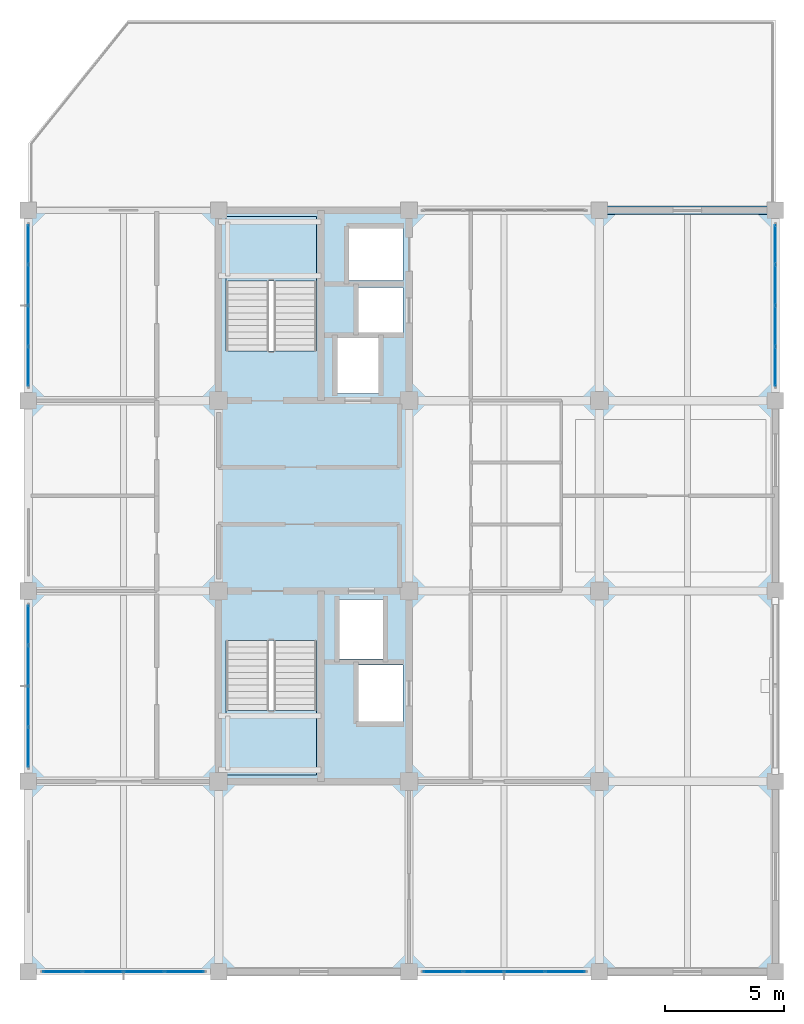
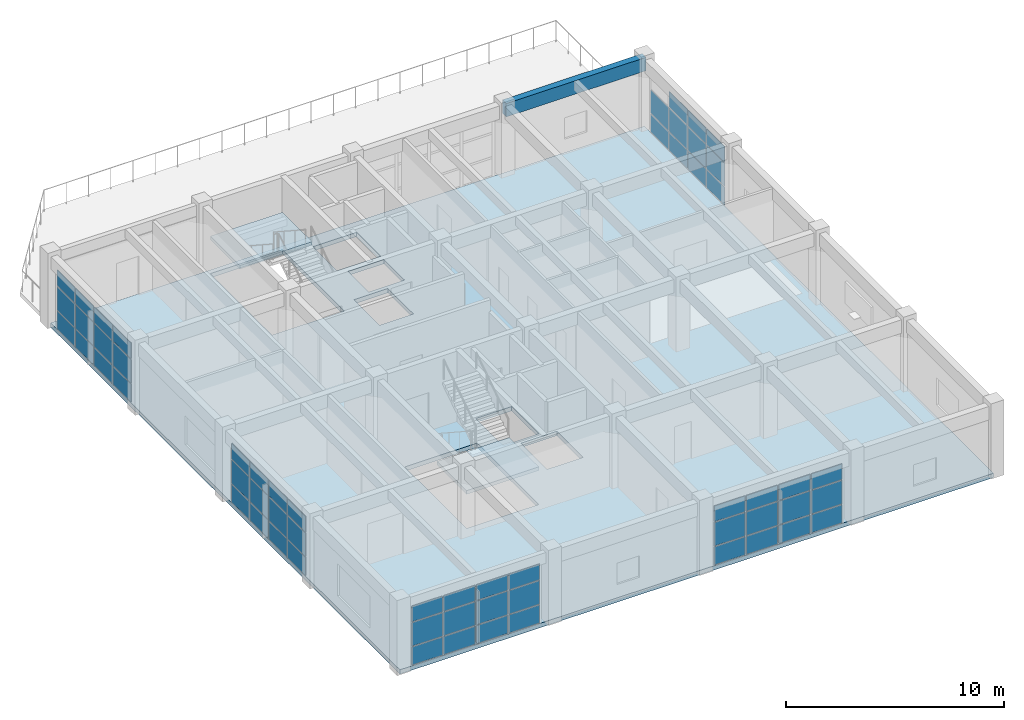
# One storey, part 13 of 19: 59 plates, 3 slabs, 1 beam, 7 elements without a shape of their own.
"""IFC4 building model written with IfcOpenShell, lengths in metres."""

import ifcopenshell
import ifcopenshell.guid

model = None  # the IFC model being written
_history = None  # IfcOwnerHistory: only IFC2X3 demands one
_inside = {}  # id of a spatial element -> (the spatial element, [elements in it])
_under = {}  # id of a project, library or spatial element -> (it, [spatial elements below it])
_declared = {}  # id of a project -> (the project, [libraries it declares])
_typed = {}  # id of a type object -> (the type object, [elements of that type])
_made_of = {}  # id of a material, layer set ... -> (it, [elements and type objects made of it])


def new_model(schema):
    """Start an empty IFC model of exactly this schema.

    Asked for "IFC4X3", IfcOpenShell would pick the latest addendum, in which some entities
    have other attributes; the version numbers below select the first issue.
    IFC2X3 requires an IfcOwnerHistory on every rooted entity: one is made here for all.
    """
    global model, _history
    if schema == "IFC4X3":
        model = ifcopenshell.file(schema_version=(4, 3, 0, 0))
    else:
        model = ifcopenshell.file(schema=schema)
    _inside.clear()
    _under.clear()
    _declared.clear()
    _typed.clear()
    _made_of.clear()
    _history = None
    if model.schema == "IFC2X3":
        org = make("IfcOrganization", Name="unknown")
        user = make(
            "IfcPersonAndOrganization",
            ThePerson=make("IfcPerson", FamilyName="unknown"),
            TheOrganization=org,
        )
        app = make(
            "IfcApplication",
            ApplicationDeveloper=org,
            Version="unknown",
            ApplicationFullName="unknown",
            ApplicationIdentifier="unknown",
        )
        _history = make(
            "IfcOwnerHistory",
            OwningUser=user,
            OwningApplication=app,
            ChangeAction="ADDED",
            CreationDate=0,
        )
    return model


def make(cls, **values):
    """One entity of the class cls with the attributes given. An attribute that is None is left unset."""
    return model.create_entity(
        cls, **{name: value for name, value in values.items() if value is not None}
    )


def rooted(cls, **values):
    """An entity with a GlobalId (a new one), such as an element, a storey or a relation."""
    return make(cls, GlobalId=ifcopenshell.guid.new(), OwnerHistory=_history, **values)


def si_unit(unit_type, name, prefix=None):
    """IfcSIUnit, for example si_unit("LENGTHUNIT", "METRE", prefix="MILLI")."""
    return make("IfcSIUnit", UnitType=unit_type, Prefix=prefix, Name=name)


def assignment(units):
    """IfcUnitAssignment: the units of a project."""
    return None if units is None else make("IfcUnitAssignment", Units=units)


def point(xyz):
    """IfcCartesianPoint."""
    return None if xyz is None else make("IfcCartesianPoint", Coordinates=xyz)


def direction(xyz):
    """IfcDirection."""
    return None if xyz is None else make("IfcDirection", DirectionRatios=xyz)


def frame(location, z_axis=None, x_axis=None):
    """IfcAxis2Placement3D, a coordinate frame: its origin and axes. An axis left out is left unset."""
    return make(
        "IfcAxis2Placement3D",
        Location=point(location),
        Axis=direction(z_axis),
        RefDirection=direction(x_axis),
    )


def frame_2d(location, x_axis=None):
    """IfcAxis2Placement2D, a coordinate frame in the plane: its origin and x axis."""
    return make(
        "IfcAxis2Placement2D", Location=point(location), RefDirection=direction(x_axis)
    )


def origin():
    """The frame at (0, 0, 0) with its axes left unset."""
    return frame((0.0, 0.0, 0.0))


def origin_2d():
    """The frame at (0, 0) in the plane with its x axis left unset."""
    return frame_2d((0.0, 0.0))


def place(relative_to, where):
    """IfcLocalPlacement: puts the frame where relative to a parent placement (None: the world)."""
    return make(
        "IfcLocalPlacement", PlacementRelTo=relative_to, RelativePlacement=where
    )


def context(
    kind, dimensions, precision=None, world=None, true_north=None, identifier=None
):
    """IfcGeometricRepresentationContext, for example the 3D "Model" context."""
    return make(
        "IfcGeometricRepresentationContext",
        ContextIdentifier=identifier,
        ContextType=kind,
        CoordinateSpaceDimension=dimensions,
        Precision=precision,
        WorldCoordinateSystem=world,
        TrueNorth=true_north,
    )


def subcontext(parent, identifier, kind, view, scale=None):
    """IfcGeometricRepresentationSubContext, for example "Body" below "Model"."""
    return make(
        "IfcGeometricRepresentationSubContext",
        ContextIdentifier=identifier,
        ContextType=kind,
        ParentContext=parent,
        TargetScale=scale,
        TargetView=view,
    )


def project(units=None, contexts=None):
    """IfcProject with its units and contexts."""
    return rooted(
        "IfcProject",
        Name="project",
        RepresentationContexts=contexts,
        UnitsInContext=assignment(units),
    )


def spatial(cls, under=None, at=None, **own):
    """A site, building, storey or space (cls), placed at a placement, below another one or the project."""
    s = rooted(cls, ObjectPlacement=at, **own)
    if under is not None:
        _under.setdefault(under.id(), (under, []))[1].append(s)
    return s


def polyline(points):
    """IfcPolyline through the points."""
    return make("IfcPolyline", Points=[point(p) for p in points])


def profile(cls, at=None, kind="AREA", **sizes):
    """A parametric profile (cls). Its sizes go by their IFC names, for example OverallWidth=200.0."""
    return make(cls, ProfileType=kind, Position=at, **sizes)


def rectangle(**sizes):
    """IfcRectangleProfileDef."""
    return profile("IfcRectangleProfileDef", **sizes)


def outline(outer, holes=None, kind="AREA"):
    """IfcArbitraryClosedProfileDef: a profile drawn as a closed curve; with holes, ...WithVoids."""
    if holes is None:
        return make("IfcArbitraryClosedProfileDef", ProfileType=kind, OuterCurve=outer)
    return make(
        "IfcArbitraryProfileDefWithVoids",
        ProfileType=kind,
        OuterCurve=outer,
        InnerCurves=holes,
    )


def extrude(swept, where, along, depth):
    """IfcExtrudedAreaSolid: the profile swept, set in the frame where, extruded along a direction by depth."""
    return make(
        "IfcExtrudedAreaSolid",
        SweptArea=swept,
        Position=where,
        ExtrudedDirection=direction(along),
        Depth=depth,
    )


def shape(context_of_items, identifier, shape_type, items):
    """IfcShapeRepresentation: the items that make up one representation, for example the "Body"."""
    return make(
        "IfcShapeRepresentation",
        ContextOfItems=context_of_items,
        RepresentationIdentifier=identifier,
        RepresentationType=shape_type,
        Items=items,
    )


def material(Name=None, Category=None):
    """IfcMaterial."""
    return make("IfcMaterial", Name=Name, Category=Category)


def layer(
    of_material, thickness, ventilated=None, Name=None, Category=None, Priority=None
):
    """IfcMaterialLayer: one layer of a wall or slab, of a material (None: an air gap)."""
    return make(
        "IfcMaterialLayer",
        Material=of_material,
        LayerThickness=thickness,
        IsVentilated=ventilated,
        Name=Name,
        Category=Category,
        Priority=Priority,
    )


def layer_set(layers, Name=None):
    """IfcMaterialLayerSet."""
    return make("IfcMaterialLayerSet", MaterialLayers=layers, LayerSetName=Name)


def material_profile(
    of_material, cross_section, Name=None, Category=None, Priority=None
):
    """IfcMaterialProfile: a cross section and its material."""
    return make(
        "IfcMaterialProfile",
        Name=Name,
        Material=of_material,
        Profile=cross_section,
        Priority=Priority,
        Category=Category,
    )


def profile_set(profiles, Name=None, composite=None):
    """IfcMaterialProfileSet."""
    return make(
        "IfcMaterialProfileSet",
        Name=Name,
        MaterialProfiles=profiles,
        CompositeProfile=composite,
    )


def made_of(thing, what):
    """Note that an element or type object is made of a material, layer set ...; save() writes the relation."""
    if what is not None:
        _made_of.setdefault(what.id(), (what, []))[1].append(thing)
    return thing


def type_object(cls, material=None, **own):
    """A type object (cls), such as IfcWallType, which elements share."""
    return made_of(rooted(cls, **own), material)


def element(
    cls,
    number,
    at=None,
    inside=None,
    cuts=None,
    type_object=None,
    material=None,
    context=None,
    identifier="Body",
    shape_type=None,
    held_by="IfcProductDefinitionShape",
    body=None,
    shapes=None,
    **own,
):
    """One element of the class cls, such as IfcWall. Its Tag is "e" and its number.

    at: its placement. inside: the storey or other place that contains it. cuts: it is an
    opening in that element (IfcRelVoidsElement). A single representation is given by context,
    identifier, shape_type and body (its items); several are given by shapes. held_by: the class
    of the entity that holds the representations. save() writes the other relations.
    """
    e = rooted(cls, Tag="e%d" % number, ObjectPlacement=at, **own)
    if body is not None:
        shapes = [shape(context, identifier, shape_type, body)]
    if shapes is not None:
        e.Representation = make(held_by, Representations=shapes)
    if inside is not None:
        _inside.setdefault(inside.id(), (inside, []))[1].append(e)
    if cuts is not None:
        rooted(
            "IfcRelVoidsElement", RelatingBuildingElement=cuts, RelatedOpeningElement=e
        )
    if type_object is not None:
        _typed.setdefault(type_object.id(), (type_object, []))[1].append(e)
    return made_of(e, material)


def aggregate(whole, parts):
    """IfcRelAggregates: a whole, such as a stair, and the parts it consists of."""
    return rooted("IfcRelAggregates", RelatingObject=whole, RelatedObjects=parts)


def save(model, path):
    """Write the relations noted so far, then the file.

    IfcRelAggregates (storeys below a building ...), IfcRelContainedInSpatialStructure (elements
    in a storey), IfcRelDefinesByType, IfcRelAssociatesMaterial and IfcRelDeclares: one each for
    every whole, place, type object, material and project.
    """
    for whole, parts in _under.values():
        aggregate(whole, parts)
    for where, things in _inside.values():
        rooted(
            "IfcRelContainedInSpatialStructure",
            RelatedElements=things,
            RelatingStructure=where,
        )
    for kind, things in _typed.values():
        rooted("IfcRelDefinesByType", RelatedObjects=things, RelatingType=kind)
    for what, things in _made_of.values():
        rooted("IfcRelAssociatesMaterial", RelatedObjects=things, RelatingMaterial=what)
    for by, libraries in _declared.values():
        rooted("IfcRelDeclares", RelatingContext=by, RelatedDefinitions=libraries)
    model.write(path)


model = new_model("IFC4")

# Units and contexts
model_context = context("Model", 3, precision=1e-05, world=origin(), true_north=direction((0.0, 1.0)))
body_context = subcontext(model_context, "Body", "Model", "MODEL_VIEW")
ifc_project = project(units=[si_unit("LENGTHUNIT", "METRE"), si_unit("AREAUNIT", "SQUARE_METRE"), si_unit("VOLUMEUNIT", "CUBIC_METRE"), si_unit("PLANEANGLEUNIT", "RADIAN"), si_unit("MASSUNIT", "GRAM", prefix="KILO")], contexts=[model_context])

# Site, building, storey
site_placement = place(None, origin())
site = spatial("IfcSite", under=ifc_project, at=site_placement, CompositionType="ELEMENT")
building_placement = place(site_placement, origin())
building = spatial("IfcBuilding", under=site, at=building_placement, Name="Canggui Botanical Conservatory", CompositionType="ELEMENT")
storey_placement = place(building_placement, frame((0.0, 0.0, 48.60009765625)))
storey = spatial("IfcBuildingStorey", under=building, at=storey_placement, Name="L12", CompositionType="ELEMENT", Elevation=48.60009765625)

# Beam
ifc_material_1 = material(Name="Concrete C35", Category="concrete")
ifc_material_profile = material_profile(ifc_material_1, rectangle(XDim=0.35009765625, YDim=0.75, at=origin_2d()), Name="RB 350x750")
ifc_profile_set = profile_set([ifc_material_profile], Name="Concrete C35")
beam_type = type_object("IfcBeamType", Name="BM-KL16", PredefinedType="BEAM", material=ifc_profile_set)
beam_placement = place(storey_placement, frame((170.0, 66.0, 3.5849609375), z_axis=(1.0, 0.0, 0.0), x_axis=(0.0, 1.0, 0.0)))
element("IfcBeam", 1, at=beam_placement, inside=storey, type_object=beam_type, Name="Frame Girder L12 Y66-4", PredefinedType="BEAM", context=body_context, shape_type="SweptSolid", body=[
    extrude(rectangle(XDim=0.35009765625, YDim=0.75, at=origin_2d()), origin(), (0.0, 0.0, 1.0), 7.39990234375),
])

# Curtain wall, plates
ifc_material_2 = material(Name="Thermally Broken Aluminium", Category="aluminium")
ifc_layer_1 = layer(ifc_material_2, 0.14990234375, Name="Thermally Broken Aluminium", Category="aluminium")
ifc_layer_set_1 = layer_set([ifc_layer_1], Name="Thermally Broken Aluminium")
curtain_wall_type = type_object("IfcCurtainWallType", Name="CW-UNIT-C", PredefinedType="USERDEFINED", material=ifc_layer_set_1)
curtain_wall_1_placement = place(storey_placement, origin())
curtain_wall_1 = element("IfcCurtainWall", 2, at=curtain_wall_1_placement, inside=storey, type_object=curtain_wall_type, Name="Facade Curtain Wall CW-TWR-L12-02", ObjectType="UNITISED CURTAIN WALL", PredefinedType="USERDEFINED")
ifc_material_3 = material(Name="Low-E Insulated Glass", Category="glass")
ifc_layer_2 = layer(ifc_material_3, 0.033935546875, Name="Low-E Insulated Glass", Category="glass")
ifc_layer_set_2 = layer_set([ifc_layer_2], Name="Low-E Insulated Glass")
plate_type = type_object("IfcPlateType", Name="CWP-03", PredefinedType="CURTAIN_PANEL", material=ifc_layer_set_2)
plate_1_placement = place(storey_placement, frame((168.56494140625, 34.0, 0.0546875), z_axis=(0.0, 0.0, 1.0), x_axis=(-1.0, 0.0, 0.0)))
plate_1 = element("IfcPlate", 3, at=plate_1_placement, type_object=plate_type, Name="CW-03 panel 1.1", PredefinedType="CURTAIN_PANEL", context=body_context, shape_type="SweptSolid", body=[
    extrude(rectangle(XDim=1.6298828125, YDim=0.033935546875, at=origin_2d()), origin(), (0.0, 0.0, 1.0), 1.005615234375),
])
plate_2_placement = place(storey_placement, frame((168.56494140625, 34.0, 1.115234375), z_axis=(0.0, 0.0, 1.0), x_axis=(-1.0, 0.0, 0.0)))
plate_2 = element("IfcPlate", 4, at=plate_2_placement, type_object=plate_type, Name="CW-03 panel 1.2", PredefinedType="CURTAIN_PANEL", context=body_context, shape_type="SweptSolid", body=[
    extrude(rectangle(XDim=1.6298828125, YDim=0.033935546875, at=origin_2d()), origin(), (0.0, 0.0, 1.0), 1.304931640625),
])
plate_3_placement = place(storey_placement, frame((168.56494140625, 34.0, 2.4755859375), z_axis=(0.0, 0.0, 1.0), x_axis=(-1.0, 0.0, 0.0)))
plate_3 = element("IfcPlate", 5, at=plate_3_placement, type_object=plate_type, Name="CW-03 panel 1.3", PredefinedType="CURTAIN_PANEL", context=body_context, shape_type="SweptSolid", body=[
    extrude(rectangle(XDim=1.6298828125, YDim=0.033935546875, at=origin_2d()), origin(), (0.0, 0.0, 1.0), 0.869384765625),
])
plate_4_placement = place(storey_placement, frame((166.860107421875, 34.0, 0.0546875), z_axis=(0.0, 0.0, 1.0), x_axis=(-1.0, 0.0, 0.0)))
plate_4 = element("IfcPlate", 6, at=plate_4_placement, type_object=plate_type, Name="CW-03 panel 2.1", PredefinedType="CURTAIN_PANEL", context=body_context, shape_type="SweptSolid", body=[
    extrude(rectangle(XDim=1.659912109375, YDim=0.033935546875, at=origin_2d()), origin(), (0.0, 0.0, 1.0), 1.005615234375),
])
plate_5_placement = place(storey_placement, frame((166.860107421875, 34.0, 1.115234375), z_axis=(0.0, 0.0, 1.0), x_axis=(-1.0, 0.0, 0.0)))
plate_5 = element("IfcPlate", 7, at=plate_5_placement, type_object=plate_type, Name="CW-03 panel 2.2", PredefinedType="CURTAIN_PANEL", context=body_context, shape_type="SweptSolid", body=[
    extrude(rectangle(XDim=1.659912109375, YDim=0.033935546875, at=origin_2d()), origin(), (0.0, 0.0, 1.0), 1.304931640625),
])
plate_6_placement = place(storey_placement, frame((166.860107421875, 34.0, 2.4755859375), z_axis=(0.0, 0.0, 1.0), x_axis=(-1.0, 0.0, 0.0)))
plate_6 = element("IfcPlate", 8, at=plate_6_placement, type_object=plate_type, Name="CW-03 panel 2.3", PredefinedType="CURTAIN_PANEL", context=body_context, shape_type="SweptSolid", body=[
    extrude(rectangle(XDim=1.659912109375, YDim=0.033935546875, at=origin_2d()), origin(), (0.0, 0.0, 1.0), 0.869384765625),
])
plate_7_placement = place(storey_placement, frame((165.139892578125, 34.0, 0.0546875), z_axis=(0.0, 0.0, 1.0), x_axis=(-1.0, 0.0, 0.0)))
plate_7 = element("IfcPlate", 9, at=plate_7_placement, type_object=plate_type, Name="CW-03 panel 3.1", PredefinedType="CURTAIN_PANEL", context=body_context, shape_type="SweptSolid", body=[
    extrude(rectangle(XDim=1.659912109375, YDim=0.033935546875, at=origin_2d()), origin(), (0.0, 0.0, 1.0), 1.005615234375),
])
plate_8_placement = place(storey_placement, frame((165.139892578125, 34.0, 1.115234375), z_axis=(0.0, 0.0, 1.0), x_axis=(-1.0, 0.0, 0.0)))
plate_8 = element("IfcPlate", 10, at=plate_8_placement, type_object=plate_type, Name="CW-03 panel 3.2", PredefinedType="CURTAIN_PANEL", context=body_context, shape_type="SweptSolid", body=[
    extrude(rectangle(XDim=1.659912109375, YDim=0.033935546875, at=origin_2d()), origin(), (0.0, 0.0, 1.0), 1.304931640625),
])
plate_9_placement = place(storey_placement, frame((165.139892578125, 34.0, 2.4755859375), z_axis=(0.0, 0.0, 1.0), x_axis=(-1.0, 0.0, 0.0)))
plate_9 = element("IfcPlate", 11, at=plate_9_placement, type_object=plate_type, Name="CW-03 panel 3.3", PredefinedType="CURTAIN_PANEL", context=body_context, shape_type="SweptSolid", body=[
    extrude(rectangle(XDim=1.659912109375, YDim=0.033935546875, at=origin_2d()), origin(), (0.0, 0.0, 1.0), 0.869384765625),
])
plate_10_placement = place(storey_placement, frame((163.43505859375, 34.0, 0.0546875), z_axis=(0.0, 0.0, 1.0), x_axis=(-1.0, 0.0, 0.0)))
plate_10 = element("IfcPlate", 12, at=plate_10_placement, type_object=plate_type, Name="CW-03 panel 4.1", PredefinedType="CURTAIN_PANEL", context=body_context, shape_type="SweptSolid", body=[
    extrude(rectangle(XDim=1.6298828125, YDim=0.033935546875, at=origin_2d()), origin(), (0.0, 0.0, 1.0), 1.005615234375),
])
plate_11_placement = place(storey_placement, frame((163.43505859375, 34.0, 1.115234375), z_axis=(0.0, 0.0, 1.0), x_axis=(-1.0, 0.0, 0.0)))
plate_11 = element("IfcPlate", 13, at=plate_11_placement, type_object=plate_type, Name="CW-03 panel 4.2", PredefinedType="CURTAIN_PANEL", context=body_context, shape_type="SweptSolid", body=[
    extrude(rectangle(XDim=1.6298828125, YDim=0.033935546875, at=origin_2d()), origin(), (0.0, 0.0, 1.0), 1.304931640625),
])
plate_12_placement = place(storey_placement, frame((163.43505859375, 34.0, 2.4755859375), z_axis=(0.0, 0.0, 1.0), x_axis=(-1.0, 0.0, 0.0)))
plate_12 = element("IfcPlate", 14, at=plate_12_placement, type_object=plate_type, Name="CW-03 panel 4.3", PredefinedType="CURTAIN_PANEL", context=body_context, shape_type="SweptSolid", body=[
    extrude(rectangle(XDim=1.6298828125, YDim=0.033935546875, at=origin_2d()), origin(), (0.0, 0.0, 1.0), 0.869384765625),
])
aggregate(curtain_wall_1, [plate_1, plate_2, plate_3, plate_4, plate_5, plate_6, plate_7, plate_8, plate_9, plate_10, plate_11, plate_12])

curtain_wall_2_placement = place(storey_placement, origin())
curtain_wall_2 = element("IfcCurtainWall", 15, at=curtain_wall_2_placement, inside=storey, type_object=curtain_wall_type, Name="Facade Curtain Wall CW-TWR-L12-04", ObjectType="UNITISED CURTAIN WALL", PredefinedType="USERDEFINED")
plate_13_placement = place(storey_placement, frame((152.56494140625, 34.0, 0.0546875), z_axis=(0.0, 0.0, 1.0), x_axis=(-1.0, 0.0, 0.0)))
plate_13 = element("IfcPlate", 16, at=plate_13_placement, type_object=plate_type, Name="CW-03 panel 1.1", PredefinedType="CURTAIN_PANEL", context=body_context, shape_type="SweptSolid", body=[
    extrude(rectangle(XDim=1.6298828125, YDim=0.033935546875, at=origin_2d()), origin(), (0.0, 0.0, 1.0), 1.005615234375),
])
plate_14_placement = place(storey_placement, frame((152.56494140625, 34.0, 1.115234375), z_axis=(0.0, 0.0, 1.0), x_axis=(-1.0, 0.0, 0.0)))
plate_14 = element("IfcPlate", 17, at=plate_14_placement, type_object=plate_type, Name="CW-03 panel 1.2", PredefinedType="CURTAIN_PANEL", context=body_context, shape_type="SweptSolid", body=[
    extrude(rectangle(XDim=1.6298828125, YDim=0.033935546875, at=origin_2d()), origin(), (0.0, 0.0, 1.0), 1.304931640625),
])
plate_15_placement = place(storey_placement, frame((152.56494140625, 34.0, 2.4755859375), z_axis=(0.0, 0.0, 1.0), x_axis=(-1.0, 0.0, 0.0)))
plate_15 = element("IfcPlate", 18, at=plate_15_placement, type_object=plate_type, Name="CW-03 panel 1.3", PredefinedType="CURTAIN_PANEL", context=body_context, shape_type="SweptSolid", body=[
    extrude(rectangle(XDim=1.6298828125, YDim=0.033935546875, at=origin_2d()), origin(), (0.0, 0.0, 1.0), 0.869384765625),
])
plate_16_placement = place(storey_placement, frame((150.860107421875, 34.0, 0.0546875), z_axis=(0.0, 0.0, 1.0), x_axis=(-1.0, 0.0, 0.0)))
plate_16 = element("IfcPlate", 19, at=plate_16_placement, type_object=plate_type, Name="CW-03 panel 2.1", PredefinedType="CURTAIN_PANEL", context=body_context, shape_type="SweptSolid", body=[
    extrude(rectangle(XDim=1.659912109375, YDim=0.033935546875, at=origin_2d()), origin(), (0.0, 0.0, 1.0), 1.005615234375),
])
plate_17_placement = place(storey_placement, frame((150.860107421875, 34.0, 1.115234375), z_axis=(0.0, 0.0, 1.0), x_axis=(-1.0, 0.0, 0.0)))
plate_17 = element("IfcPlate", 20, at=plate_17_placement, type_object=plate_type, Name="CW-03 panel 2.2", PredefinedType="CURTAIN_PANEL", context=body_context, shape_type="SweptSolid", body=[
    extrude(rectangle(XDim=1.659912109375, YDim=0.033935546875, at=origin_2d()), origin(), (0.0, 0.0, 1.0), 1.304931640625),
])
plate_18_placement = place(storey_placement, frame((150.860107421875, 34.0, 2.4755859375), z_axis=(0.0, 0.0, 1.0), x_axis=(-1.0, 0.0, 0.0)))
plate_18 = element("IfcPlate", 21, at=plate_18_placement, type_object=plate_type, Name="CW-03 panel 2.3", PredefinedType="CURTAIN_PANEL", context=body_context, shape_type="SweptSolid", body=[
    extrude(rectangle(XDim=1.659912109375, YDim=0.033935546875, at=origin_2d()), origin(), (0.0, 0.0, 1.0), 0.869384765625),
])
plate_19_placement = place(storey_placement, frame((149.139892578125, 34.0, 0.0546875), z_axis=(0.0, 0.0, 1.0), x_axis=(-1.0, 0.0, 0.0)))
plate_19 = element("IfcPlate", 22, at=plate_19_placement, type_object=plate_type, Name="CW-03 panel 3.1", PredefinedType="CURTAIN_PANEL", context=body_context, shape_type="SweptSolid", body=[
    extrude(rectangle(XDim=1.659912109375, YDim=0.033935546875, at=origin_2d()), origin(), (0.0, 0.0, 1.0), 1.005615234375),
])
plate_20_placement = place(storey_placement, frame((149.139892578125, 34.0, 1.115234375), z_axis=(0.0, 0.0, 1.0), x_axis=(-1.0, 0.0, 0.0)))
plate_20 = element("IfcPlate", 23, at=plate_20_placement, type_object=plate_type, Name="CW-03 panel 3.2", PredefinedType="CURTAIN_PANEL", context=body_context, shape_type="SweptSolid", body=[
    extrude(rectangle(XDim=1.659912109375, YDim=0.033935546875, at=origin_2d()), origin(), (0.0, 0.0, 1.0), 1.304931640625),
])
plate_21_placement = place(storey_placement, frame((149.139892578125, 34.0, 2.4755859375), z_axis=(0.0, 0.0, 1.0), x_axis=(-1.0, 0.0, 0.0)))
plate_21 = element("IfcPlate", 24, at=plate_21_placement, type_object=plate_type, Name="CW-03 panel 3.3", PredefinedType="CURTAIN_PANEL", context=body_context, shape_type="SweptSolid", body=[
    extrude(rectangle(XDim=1.659912109375, YDim=0.033935546875, at=origin_2d()), origin(), (0.0, 0.0, 1.0), 0.869384765625),
])
plate_22_placement = place(storey_placement, frame((147.43505859375, 34.0, 0.0546875), z_axis=(0.0, 0.0, 1.0), x_axis=(-1.0, 0.0, 0.0)))
plate_22 = element("IfcPlate", 25, at=plate_22_placement, type_object=plate_type, Name="CW-03 panel 4.1", PredefinedType="CURTAIN_PANEL", context=body_context, shape_type="SweptSolid", body=[
    extrude(rectangle(XDim=1.6298828125, YDim=0.033935546875, at=origin_2d()), origin(), (0.0, 0.0, 1.0), 1.005615234375),
])
plate_23_placement = place(storey_placement, frame((147.43505859375, 34.0, 1.115234375), z_axis=(0.0, 0.0, 1.0), x_axis=(-1.0, 0.0, 0.0)))
plate_23 = element("IfcPlate", 26, at=plate_23_placement, type_object=plate_type, Name="CW-03 panel 4.2", PredefinedType="CURTAIN_PANEL", context=body_context, shape_type="SweptSolid", body=[
    extrude(rectangle(XDim=1.6298828125, YDim=0.033935546875, at=origin_2d()), origin(), (0.0, 0.0, 1.0), 1.304931640625),
])
plate_24_placement = place(storey_placement, frame((147.43505859375, 34.0, 2.4755859375), z_axis=(0.0, 0.0, 1.0), x_axis=(-1.0, 0.0, 0.0)))
plate_24 = element("IfcPlate", 27, at=plate_24_placement, type_object=plate_type, Name="CW-03 panel 4.3", PredefinedType="CURTAIN_PANEL", context=body_context, shape_type="SweptSolid", body=[
    extrude(rectangle(XDim=1.6298828125, YDim=0.033935546875, at=origin_2d()), origin(), (0.0, 0.0, 1.0), 0.869384765625),
])
aggregate(curtain_wall_2, [plate_13, plate_14, plate_15, plate_16, plate_17, plate_18, plate_19, plate_20, plate_21, plate_22, plate_23, plate_24])

curtain_wall_3_placement = place(storey_placement, origin())
curtain_wall_3 = element("IfcCurtainWall", 28, at=curtain_wall_3_placement, inside=storey, type_object=curtain_wall_type, Name="Facade Curtain Wall CW-TWR-L12-06", ObjectType="UNITISED CURTAIN WALL", PredefinedType="USERDEFINED")
plate_25_placement = place(storey_placement, frame((146.0, 43.43505859375, 0.0546875), z_axis=(0.0, 0.0, 1.0), x_axis=(0.0, 1.0, 0.0)))
plate_25 = element("IfcPlate", 29, at=plate_25_placement, type_object=plate_type, Name="CW-03 panel 1.1", PredefinedType="CURTAIN_PANEL", context=body_context, shape_type="SweptSolid", body=[
    extrude(rectangle(XDim=1.6298828125, YDim=0.033935546875, at=origin_2d()), origin(), (0.0, 0.0, 1.0), 1.005615234375),
])
plate_26_placement = place(storey_placement, frame((146.0, 43.43505859375, 1.115234375), z_axis=(0.0, 0.0, 1.0), x_axis=(0.0, 1.0, 0.0)))
plate_26 = element("IfcPlate", 30, at=plate_26_placement, type_object=plate_type, Name="CW-03 panel 1.2", PredefinedType="CURTAIN_PANEL", context=body_context, shape_type="SweptSolid", body=[
    extrude(rectangle(XDim=1.6298828125, YDim=0.033935546875, at=origin_2d()), origin(), (0.0, 0.0, 1.0), 1.304931640625),
])
plate_27_placement = place(storey_placement, frame((146.0, 43.43505859375, 2.4755859375), z_axis=(0.0, 0.0, 1.0), x_axis=(0.0, 1.0, 0.0)))
plate_27 = element("IfcPlate", 31, at=plate_27_placement, type_object=plate_type, Name="CW-03 panel 1.3", PredefinedType="CURTAIN_PANEL", context=body_context, shape_type="SweptSolid", body=[
    extrude(rectangle(XDim=1.6298828125, YDim=0.033935546875, at=origin_2d()), origin(), (0.0, 0.0, 1.0), 0.869384765625),
])
plate_28_placement = place(storey_placement, frame((146.0, 45.139892578125, 0.0546875), z_axis=(0.0, 0.0, 1.0), x_axis=(0.0, 1.0, 0.0)))
plate_28 = element("IfcPlate", 32, at=plate_28_placement, type_object=plate_type, Name="CW-03 panel 2.1", PredefinedType="CURTAIN_PANEL", context=body_context, shape_type="SweptSolid", body=[
    extrude(rectangle(XDim=1.659912109375, YDim=0.033935546875, at=origin_2d()), origin(), (0.0, 0.0, 1.0), 1.005615234375),
])
plate_29_placement = place(storey_placement, frame((146.0, 45.139892578125, 1.115234375), z_axis=(0.0, 0.0, 1.0), x_axis=(0.0, 1.0, 0.0)))
plate_29 = element("IfcPlate", 33, at=plate_29_placement, type_object=plate_type, Name="CW-03 panel 2.2", PredefinedType="CURTAIN_PANEL", context=body_context, shape_type="SweptSolid", body=[
    extrude(rectangle(XDim=1.659912109375, YDim=0.033935546875, at=origin_2d()), origin(), (0.0, 0.0, 1.0), 1.304931640625),
])
plate_30_placement = place(storey_placement, frame((146.0, 45.139892578125, 2.4755859375), z_axis=(0.0, 0.0, 1.0), x_axis=(0.0, 1.0, 0.0)))
plate_30 = element("IfcPlate", 34, at=plate_30_placement, type_object=plate_type, Name="CW-03 panel 2.3", PredefinedType="CURTAIN_PANEL", context=body_context, shape_type="SweptSolid", body=[
    extrude(rectangle(XDim=1.659912109375, YDim=0.033935546875, at=origin_2d()), origin(), (0.0, 0.0, 1.0), 0.869384765625),
])
plate_31_placement = place(storey_placement, frame((146.0, 46.860107421875, 0.0546875), z_axis=(0.0, 0.0, 1.0), x_axis=(0.0, 1.0, 0.0)))
plate_31 = element("IfcPlate", 35, at=plate_31_placement, type_object=plate_type, Name="CW-03 panel 3.1", PredefinedType="CURTAIN_PANEL", context=body_context, shape_type="SweptSolid", body=[
    extrude(rectangle(XDim=1.659912109375, YDim=0.033935546875, at=origin_2d()), origin(), (0.0, 0.0, 1.0), 1.005615234375),
])
plate_32_placement = place(storey_placement, frame((146.0, 46.860107421875, 1.115234375), z_axis=(0.0, 0.0, 1.0), x_axis=(0.0, 1.0, 0.0)))
plate_32 = element("IfcPlate", 36, at=plate_32_placement, type_object=plate_type, Name="CW-03 panel 3.2", PredefinedType="CURTAIN_PANEL", context=body_context, shape_type="SweptSolid", body=[
    extrude(rectangle(XDim=1.659912109375, YDim=0.033935546875, at=origin_2d()), origin(), (0.0, 0.0, 1.0), 1.304931640625),
])
plate_33_placement = place(storey_placement, frame((146.0, 46.860107421875, 2.4755859375), z_axis=(0.0, 0.0, 1.0), x_axis=(0.0, 1.0, 0.0)))
plate_33 = element("IfcPlate", 37, at=plate_33_placement, type_object=plate_type, Name="CW-03 panel 3.3", PredefinedType="CURTAIN_PANEL", context=body_context, shape_type="SweptSolid", body=[
    extrude(rectangle(XDim=1.659912109375, YDim=0.033935546875, at=origin_2d()), origin(), (0.0, 0.0, 1.0), 0.869384765625),
])
plate_34_placement = place(storey_placement, frame((146.0, 48.56494140625, 0.0546875), z_axis=(0.0, 0.0, 1.0), x_axis=(0.0, 1.0, 0.0)))
plate_34 = element("IfcPlate", 38, at=plate_34_placement, type_object=plate_type, Name="CW-03 panel 4.1", PredefinedType="CURTAIN_PANEL", context=body_context, shape_type="SweptSolid", body=[
    extrude(rectangle(XDim=1.6298828125, YDim=0.033935546875, at=origin_2d()), origin(), (0.0, 0.0, 1.0), 1.005615234375),
])
plate_35_placement = place(storey_placement, frame((146.0, 48.56494140625, 1.115234375), z_axis=(0.0, 0.0, 1.0), x_axis=(0.0, 1.0, 0.0)))
plate_35 = element("IfcPlate", 39, at=plate_35_placement, type_object=plate_type, Name="CW-03 panel 4.2", PredefinedType="CURTAIN_PANEL", context=body_context, shape_type="SweptSolid", body=[
    extrude(rectangle(XDim=1.6298828125, YDim=0.033935546875, at=origin_2d()), origin(), (0.0, 0.0, 1.0), 1.304931640625),
])
plate_36_placement = place(storey_placement, frame((146.0, 48.56494140625, 2.4755859375), z_axis=(0.0, 0.0, 1.0), x_axis=(0.0, 1.0, 0.0)))
plate_36 = element("IfcPlate", 40, at=plate_36_placement, type_object=plate_type, Name="CW-03 panel 4.3", PredefinedType="CURTAIN_PANEL", context=body_context, shape_type="SweptSolid", body=[
    extrude(rectangle(XDim=1.6298828125, YDim=0.033935546875, at=origin_2d()), origin(), (0.0, 0.0, 1.0), 0.869384765625),
])
aggregate(curtain_wall_3, [plate_25, plate_26, plate_27, plate_28, plate_29, plate_30, plate_31, plate_32, plate_33, plate_34, plate_35, plate_36])

curtain_wall_4_placement = place(storey_placement, origin())
curtain_wall_4 = element("IfcCurtainWall", 41, at=curtain_wall_4_placement, inside=storey, type_object=curtain_wall_type, Name="Facade Curtain Wall CW-TWR-L12-08", ObjectType="UNITISED CURTAIN WALL", PredefinedType="USERDEFINED")
plate_37_placement = place(storey_placement, frame((146.0, 59.43505859375, 0.0546875), z_axis=(0.0, 0.0, 1.0), x_axis=(0.0, 1.0, 0.0)))
plate_37 = element("IfcPlate", 42, at=plate_37_placement, type_object=plate_type, Name="CW-03 panel 1.1", PredefinedType="CURTAIN_PANEL", context=body_context, shape_type="SweptSolid", body=[
    extrude(rectangle(XDim=1.6298828125, YDim=0.033935546875, at=origin_2d()), origin(), (0.0, 0.0, 1.0), 1.005615234375),
])
plate_38_placement = place(storey_placement, frame((146.0, 59.43505859375, 1.115234375), z_axis=(0.0, 0.0, 1.0), x_axis=(0.0, 1.0, 0.0)))
plate_38 = element("IfcPlate", 43, at=plate_38_placement, type_object=plate_type, Name="CW-03 panel 1.2", PredefinedType="CURTAIN_PANEL", context=body_context, shape_type="SweptSolid", body=[
    extrude(rectangle(XDim=1.6298828125, YDim=0.033935546875, at=origin_2d()), origin(), (0.0, 0.0, 1.0), 1.304931640625),
])
plate_39_placement = place(storey_placement, frame((146.0, 59.43505859375, 2.4755859375), z_axis=(0.0, 0.0, 1.0), x_axis=(0.0, 1.0, 0.0)))
plate_39 = element("IfcPlate", 44, at=plate_39_placement, type_object=plate_type, Name="CW-03 panel 1.3", PredefinedType="CURTAIN_PANEL", context=body_context, shape_type="SweptSolid", body=[
    extrude(rectangle(XDim=1.6298828125, YDim=0.033935546875, at=origin_2d()), origin(), (0.0, 0.0, 1.0), 0.869384765625),
])
plate_40_placement = place(storey_placement, frame((146.0, 61.139892578125, 0.0546875), z_axis=(0.0, 0.0, 1.0), x_axis=(0.0, 1.0, 0.0)))
plate_40 = element("IfcPlate", 45, at=plate_40_placement, type_object=plate_type, Name="CW-03 panel 2.1", PredefinedType="CURTAIN_PANEL", context=body_context, shape_type="SweptSolid", body=[
    extrude(rectangle(XDim=1.659912109375, YDim=0.033935546875, at=origin_2d()), origin(), (0.0, 0.0, 1.0), 1.005615234375),
])
plate_41_placement = place(storey_placement, frame((146.0, 61.139892578125, 1.115234375), z_axis=(0.0, 0.0, 1.0), x_axis=(0.0, 1.0, 0.0)))
plate_41 = element("IfcPlate", 46, at=plate_41_placement, type_object=plate_type, Name="CW-03 panel 2.2", PredefinedType="CURTAIN_PANEL", context=body_context, shape_type="SweptSolid", body=[
    extrude(rectangle(XDim=1.659912109375, YDim=0.033935546875, at=origin_2d()), origin(), (0.0, 0.0, 1.0), 1.304931640625),
])
plate_42_placement = place(storey_placement, frame((146.0, 61.139892578125, 2.4755859375), z_axis=(0.0, 0.0, 1.0), x_axis=(0.0, 1.0, 0.0)))
plate_42 = element("IfcPlate", 47, at=plate_42_placement, type_object=plate_type, Name="CW-03 panel 2.3", PredefinedType="CURTAIN_PANEL", context=body_context, shape_type="SweptSolid", body=[
    extrude(rectangle(XDim=1.659912109375, YDim=0.033935546875, at=origin_2d()), origin(), (0.0, 0.0, 1.0), 0.869384765625),
])
plate_43_placement = place(storey_placement, frame((146.0, 62.860107421875, 0.0546875), z_axis=(0.0, 0.0, 1.0), x_axis=(0.0, 1.0, 0.0)))
plate_43 = element("IfcPlate", 48, at=plate_43_placement, type_object=plate_type, Name="CW-03 panel 3.1", PredefinedType="CURTAIN_PANEL", context=body_context, shape_type="SweptSolid", body=[
    extrude(rectangle(XDim=1.659912109375, YDim=0.033935546875, at=origin_2d()), origin(), (0.0, 0.0, 1.0), 1.005615234375),
])
plate_44_placement = place(storey_placement, frame((146.0, 62.860107421875, 1.115234375), z_axis=(0.0, 0.0, 1.0), x_axis=(0.0, 1.0, 0.0)))
plate_44 = element("IfcPlate", 49, at=plate_44_placement, type_object=plate_type, Name="CW-03 panel 3.2", PredefinedType="CURTAIN_PANEL", context=body_context, shape_type="SweptSolid", body=[
    extrude(rectangle(XDim=1.659912109375, YDim=0.033935546875, at=origin_2d()), origin(), (0.0, 0.0, 1.0), 1.304931640625),
])
plate_45_placement = place(storey_placement, frame((146.0, 62.860107421875, 2.4755859375), z_axis=(0.0, 0.0, 1.0), x_axis=(0.0, 1.0, 0.0)))
plate_45 = element("IfcPlate", 50, at=plate_45_placement, type_object=plate_type, Name="CW-03 panel 3.3", PredefinedType="CURTAIN_PANEL", context=body_context, shape_type="SweptSolid", body=[
    extrude(rectangle(XDim=1.659912109375, YDim=0.033935546875, at=origin_2d()), origin(), (0.0, 0.0, 1.0), 0.869384765625),
])
plate_46_placement = place(storey_placement, frame((146.0, 64.56494140625, 0.0546875), z_axis=(0.0, 0.0, 1.0), x_axis=(0.0, 1.0, 0.0)))
plate_46 = element("IfcPlate", 51, at=plate_46_placement, type_object=plate_type, Name="CW-03 panel 4.1", PredefinedType="CURTAIN_PANEL", context=body_context, shape_type="SweptSolid", body=[
    extrude(rectangle(XDim=1.6298828125, YDim=0.033935546875, at=origin_2d()), origin(), (0.0, 0.0, 1.0), 1.005615234375),
])
plate_47_placement = place(storey_placement, frame((146.0, 64.56494140625, 1.115234375), z_axis=(0.0, 0.0, 1.0), x_axis=(0.0, 1.0, 0.0)))
plate_47 = element("IfcPlate", 52, at=plate_47_placement, type_object=plate_type, Name="CW-03 panel 4.2", PredefinedType="CURTAIN_PANEL", context=body_context, shape_type="SweptSolid", body=[
    extrude(rectangle(XDim=1.6298828125, YDim=0.033935546875, at=origin_2d()), origin(), (0.0, 0.0, 1.0), 1.304931640625),
])
plate_48_placement = place(storey_placement, frame((146.0, 64.56494140625, 2.4755859375), z_axis=(0.0, 0.0, 1.0), x_axis=(0.0, 1.0, 0.0)))
plate_48 = element("IfcPlate", 53, at=plate_48_placement, type_object=plate_type, Name="CW-03 panel 4.3", PredefinedType="CURTAIN_PANEL", context=body_context, shape_type="SweptSolid", body=[
    extrude(rectangle(XDim=1.6298828125, YDim=0.033935546875, at=origin_2d()), origin(), (0.0, 0.0, 1.0), 0.869384765625),
])
aggregate(curtain_wall_4, [plate_37, plate_38, plate_39, plate_40, plate_41, plate_42, plate_43, plate_44, plate_45, plate_46, plate_47, plate_48])

curtain_wall_5_placement = place(storey_placement, origin())
curtain_wall_5 = element("IfcCurtainWall", 54, at=curtain_wall_5_placement, inside=storey, type_object=curtain_wall_type, Name="Facade Curtain Wall CW-TWR-L12-12", ObjectType="UNITISED CURTAIN WALL", PredefinedType="USERDEFINED")
plate_49_placement = place(storey_placement, frame((177.39990234375, 64.56494140625, 0.0546875), z_axis=(0.0, 0.0, 1.0), x_axis=(0.0, -1.0, 0.0)))
plate_49 = element("IfcPlate", 55, at=plate_49_placement, type_object=plate_type, Name="CW-03 panel 1.1", PredefinedType="CURTAIN_PANEL", context=body_context, shape_type="SweptSolid", body=[
    extrude(rectangle(XDim=1.6298828125, YDim=0.033935546875, at=origin_2d()), origin(), (0.0, 0.0, 1.0), 1.005615234375),
])
plate_50_placement = place(storey_placement, frame((177.39990234375, 64.56494140625, 1.115234375), z_axis=(0.0, 0.0, 1.0), x_axis=(0.0, -1.0, 0.0)))
plate_50 = element("IfcPlate", 56, at=plate_50_placement, type_object=plate_type, Name="CW-03 panel 1.2", PredefinedType="CURTAIN_PANEL", context=body_context, shape_type="SweptSolid", body=[
    extrude(rectangle(XDim=1.6298828125, YDim=0.033935546875, at=origin_2d()), origin(), (0.0, 0.0, 1.0), 1.304931640625),
])
plate_51_placement = place(storey_placement, frame((177.39990234375, 62.860107421875, 0.0546875), z_axis=(0.0, 0.0, 1.0), x_axis=(0.0, -1.0, 0.0)))
plate_51 = element("IfcPlate", 57, at=plate_51_placement, type_object=plate_type, Name="CW-03 panel 2.1", PredefinedType="CURTAIN_PANEL", context=body_context, shape_type="SweptSolid", body=[
    extrude(rectangle(XDim=1.659912109375, YDim=0.033935546875, at=origin_2d()), origin(), (0.0, 0.0, 1.0), 1.005615234375),
])
plate_52_placement = place(storey_placement, frame((177.39990234375, 62.860107421875, 1.115234375), z_axis=(0.0, 0.0, 1.0), x_axis=(0.0, -1.0, 0.0)))
plate_52 = element("IfcPlate", 58, at=plate_52_placement, type_object=plate_type, Name="CW-03 panel 2.2", PredefinedType="CURTAIN_PANEL", context=body_context, shape_type="SweptSolid", body=[
    extrude(rectangle(XDim=1.659912109375, YDim=0.033935546875, at=origin_2d()), origin(), (0.0, 0.0, 1.0), 1.304931640625),
])
plate_53_placement = place(storey_placement, frame((177.39990234375, 62.860107421875, 2.4755859375), z_axis=(0.0, 0.0, 1.0), x_axis=(0.0, -1.0, 0.0)))
plate_53 = element("IfcPlate", 59, at=plate_53_placement, type_object=plate_type, Name="CW-03 panel 2.3", PredefinedType="CURTAIN_PANEL", context=body_context, shape_type="SweptSolid", body=[
    extrude(rectangle(XDim=1.659912109375, YDim=0.033935546875, at=origin_2d()), origin(), (0.0, 0.0, 1.0), 0.869384765625),
])
plate_54_placement = place(storey_placement, frame((177.39990234375, 61.139892578125, 0.0546875), z_axis=(0.0, 0.0, 1.0), x_axis=(0.0, -1.0, 0.0)))
plate_54 = element("IfcPlate", 60, at=plate_54_placement, type_object=plate_type, Name="CW-03 panel 3.1", PredefinedType="CURTAIN_PANEL", context=body_context, shape_type="SweptSolid", body=[
    extrude(rectangle(XDim=1.659912109375, YDim=0.033935546875, at=origin_2d()), origin(), (0.0, 0.0, 1.0), 1.005615234375),
])
plate_55_placement = place(storey_placement, frame((177.39990234375, 61.139892578125, 1.115234375), z_axis=(0.0, 0.0, 1.0), x_axis=(0.0, -1.0, 0.0)))
plate_55 = element("IfcPlate", 61, at=plate_55_placement, type_object=plate_type, Name="CW-03 panel 3.2", PredefinedType="CURTAIN_PANEL", context=body_context, shape_type="SweptSolid", body=[
    extrude(rectangle(XDim=1.659912109375, YDim=0.033935546875, at=origin_2d()), origin(), (0.0, 0.0, 1.0), 1.304931640625),
])
plate_56_placement = place(storey_placement, frame((177.39990234375, 61.139892578125, 2.4755859375), z_axis=(0.0, 0.0, 1.0), x_axis=(0.0, -1.0, 0.0)))
plate_56 = element("IfcPlate", 62, at=plate_56_placement, type_object=plate_type, Name="CW-03 panel 3.3", PredefinedType="CURTAIN_PANEL", context=body_context, shape_type="SweptSolid", body=[
    extrude(rectangle(XDim=1.659912109375, YDim=0.033935546875, at=origin_2d()), origin(), (0.0, 0.0, 1.0), 0.869384765625),
])
plate_57_placement = place(storey_placement, frame((177.39990234375, 59.43505859375, 0.0546875), z_axis=(0.0, 0.0, 1.0), x_axis=(0.0, -1.0, 0.0)))
plate_57 = element("IfcPlate", 63, at=plate_57_placement, type_object=plate_type, Name="CW-03 panel 4.1", PredefinedType="CURTAIN_PANEL", context=body_context, shape_type="SweptSolid", body=[
    extrude(rectangle(XDim=1.6298828125, YDim=0.033935546875, at=origin_2d()), origin(), (0.0, 0.0, 1.0), 1.005615234375),
])
plate_58_placement = place(storey_placement, frame((177.39990234375, 59.43505859375, 1.115234375), z_axis=(0.0, 0.0, 1.0), x_axis=(0.0, -1.0, 0.0)))
plate_58 = element("IfcPlate", 64, at=plate_58_placement, type_object=plate_type, Name="CW-03 panel 4.2", PredefinedType="CURTAIN_PANEL", context=body_context, shape_type="SweptSolid", body=[
    extrude(rectangle(XDim=1.6298828125, YDim=0.033935546875, at=origin_2d()), origin(), (0.0, 0.0, 1.0), 1.304931640625),
])
plate_59_placement = place(storey_placement, frame((177.39990234375, 59.43505859375, 2.4755859375), z_axis=(0.0, 0.0, 1.0), x_axis=(0.0, -1.0, 0.0)))
plate_59 = element("IfcPlate", 65, at=plate_59_placement, type_object=plate_type, Name="CW-03 panel 4.3", PredefinedType="CURTAIN_PANEL", context=body_context, shape_type="SweptSolid", body=[
    extrude(rectangle(XDim=1.6298828125, YDim=0.033935546875, at=origin_2d()), origin(), (0.0, 0.0, 1.0), 0.869384765625),
])
aggregate(curtain_wall_5, [plate_49, plate_50, plate_51, plate_52, plate_53, plate_54, plate_55, plate_56, plate_57, plate_58, plate_59])

# Slab
ifc_layer_3 = layer(ifc_material_1, 0.239990234375, Name="Concrete C35", Category="concrete")
ifc_layer_set_3 = layer_set([ifc_layer_3], Name="Concrete C35")
slab_type_1 = type_object("IfcSlabType", Name="SLAB-F240", PredefinedType="FLOOR", material=ifc_layer_set_3)
slab_1_placement = place(storey_placement, frame((0.0, 0.0, -0.239990234375)))
element("IfcSlab", 66, at=slab_1_placement, inside=storey, type_object=slab_type_1, Name="Research Tower L12 Floor Slab", PredefinedType="FLOOR", context=body_context, shape_type="SweptSolid", body=[
    extrude(outline(polyline([(146.0, 34.0), (177.39990234375, 34.0), (177.39990234375, 66.0), (146.0, 66.0), (146.0, 34.0)]), holes=[polyline([(154.300048828125, 47.91943359375), (154.300048828125, 42.260009765625), (158.1201171875, 42.260009765625), (158.1201171875, 47.91943359375), (154.300048828125, 47.91943359375)]), polyline([(158.1201171875, 60.08056640625), (158.1201171875, 65.739990234375), (154.300048828125, 65.739990234375), (154.300048828125, 60.08056640625), (158.1201171875, 60.08056640625)]), polyline([(159.050048828125, 47.14990234375), (160.949951171875, 47.14990234375), (160.949951171875, 49.64990234375), (159.050048828125, 49.64990234375), (159.050048828125, 47.14990234375)]), polyline([(159.85009765625, 44.5), (161.75, 44.5), (161.75, 46.89990234375), (159.85009765625, 46.89990234375), (159.85009765625, 44.5)]), polyline([(158.949951171875, 58.300048828125), (160.75, 58.300048828125), (160.75, 60.64990234375), (158.949951171875, 60.64990234375), (158.949951171875, 58.300048828125)]), polyline([(159.85009765625, 60.85009765625), (161.75, 60.85009765625), (161.75, 62.75), (159.85009765625, 62.75), (159.85009765625, 60.85009765625)]), polyline([(159.449951171875, 63.050048828125), (161.75, 63.050048828125), (161.75, 65.25), (159.449951171875, 65.25), (159.449951171875, 63.050048828125)])]), origin(), (0.0, 0.0, 1.0), 0.239990234375),
])

# Stair, slab
stair_type = type_object("IfcStairType", Name="STR-TYPE-6", PredefinedType="HALF_TURN_STAIR", material=ifc_material_1)
stair_1_placement = place(storey_placement, origin())
stair_1 = element("IfcStair", 67, at=stair_1_placement, inside=storey, type_object=stair_type, Name="L12 Tower South Smoke-Proof Stair ST-T1", PredefinedType="HALF_TURN_STAIR")
ifc_layer_4 = layer(ifc_material_1, 0.199951171875, Name="Concrete C35", Category="concrete")
ifc_layer_set_4 = layer_set([ifc_layer_4], Name="Concrete C35")
slab_type_2 = type_object("IfcSlabType", Name="SLAB-LND-200", PredefinedType="LANDING", material=ifc_layer_set_4)
slab_2_placement = place(storey_placement, frame((0.0, 0.0, 1.89990234375)))
slab_2 = element("IfcSlab", 68, at=slab_2_placement, type_object=slab_type_2, Name="ST-T1 landing 1", PredefinedType="LANDING", context=body_context, shape_type="SweptSolid", body=[
    extrude(outline(polyline([(154.300048828125, 44.972412109375), (154.300048828125, 42.260009765625), (158.1201171875, 42.260009765625), (158.1201171875, 44.972412109375), (154.300048828125, 44.972412109375)])), origin(), (0.0, 0.0, 1.0), 0.199951171875),
])
aggregate(stair_1, [slab_2])

stair_2_placement = place(storey_placement, origin())
stair_2 = element("IfcStair", 69, at=stair_2_placement, inside=storey, type_object=stair_type, Name="L12 Tower North Smoke-Proof Stair ST-T2", PredefinedType="HALF_TURN_STAIR")
slab_3_placement = place(storey_placement, frame((0.0, 0.0, 1.89990234375)))
slab_3 = element("IfcSlab", 70, at=slab_3_placement, type_object=slab_type_2, Name="ST-T2 landing 1", PredefinedType="LANDING", context=body_context, shape_type="SweptSolid", body=[
    extrude(outline(polyline([(158.1201171875, 63.027587890625), (158.1201171875, 65.739990234375), (154.300048828125, 65.739990234375), (154.300048828125, 63.027587890625), (158.1201171875, 63.027587890625)])), origin(), (0.0, 0.0, 1.0), 0.199951171875),
])
aggregate(stair_2, [slab_3])

save(model, "model.ifc")
